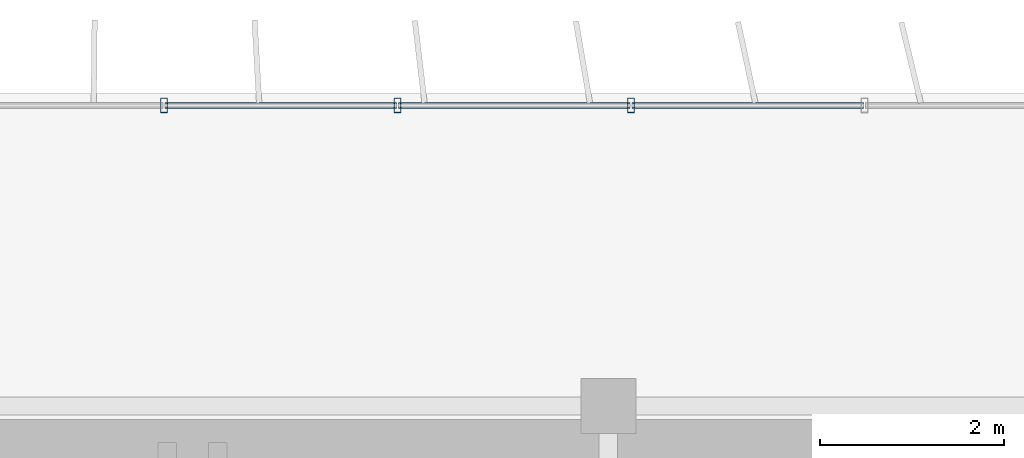
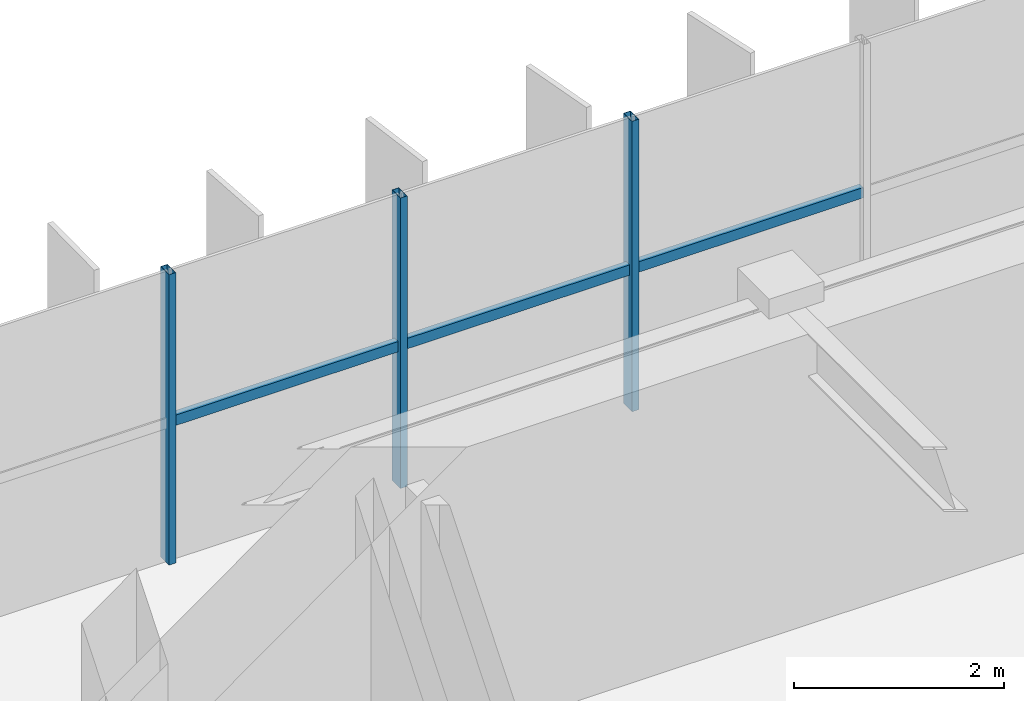
# One storey, part 8 of 22: 6 members, 1 element without a shape of its own.
"""IFC4 building model written with IfcOpenShell, lengths in metres."""

from ifc_helpers import new_model, si_unit, direction, frame, origin, origin_2d, place, context, subcontext, project, spatial, hollow_rectangle, extrude, source, transform, mapped, material, material_profile, profile_set, type_object, element, aggregate, save


model = new_model("IFC4")

# Units and contexts
model_context = context("Model", 3, precision=1e-05, world=origin(), true_north=direction((0.0, 1.0)))
body_context = subcontext(model_context, "Body", "Model", "MODEL_VIEW")
ifc_project = project(units=[si_unit("LENGTHUNIT", "METRE"), si_unit("AREAUNIT", "SQUARE_METRE"), si_unit("VOLUMEUNIT", "CUBIC_METRE"), si_unit("PLANEANGLEUNIT", "RADIAN"), si_unit("MASSUNIT", "GRAM", prefix="KILO")], contexts=[model_context])

# Site, building, storey
site_placement = place(None, origin())
site = spatial("IfcSite", under=ifc_project, at=site_placement, CompositionType="ELEMENT")
building_placement = place(site_placement, origin())
building = spatial("IfcBuilding", under=site, at=building_placement, Name="Trelvane Seafront Commons", CompositionType="ELEMENT")
storey_placement = place(building_placement, frame((0.0, 0.0, 270.300048828125)))
storey = spatial("IfcBuildingStorey", under=building, at=storey_placement, Name="L70", CompositionType="ELEMENT", Elevation=270.300048828125)

# Curtain wall, members
ifc_material = material(Name="Anodised pale-silver aluminium", Category="aluminium")
curtain_wall_type = type_object("IfcCurtainWallType", Name="ARCH-CW5-UPTOWER", PredefinedType="NOTDEFINED", material=ifc_material)
curtain_wall_placement = place(storey_placement, origin())
curtain_wall = element("IfcCurtainWall", 1, at=curtain_wall_placement, inside=storey, type_object=curtain_wall_type, Name="CW-L70-0114", PredefinedType="NOTDEFINED")
ifc_material_profile_1 = material_profile(ifc_material, hollow_rectangle(XDim=0.070068359375, YDim=0.1201171875, WallThickness=0.00390625, at=origin_2d()), Name="TRAN-70x120x4")
ifc_profile_set_1 = profile_set([ifc_material_profile_1], Name="Anodised pale-silver aluminium")
member_type_1 = type_object("IfcMemberType", Name="ARCH-CW-TRAN-120", PredefinedType="USERDEFINED", material=ifc_profile_set_1)
shared_shape_1 = source(origin(), body_context, "Body", "SweptSolid", [
    extrude(hollow_rectangle(XDim=0.070068359375, YDim=0.1201171875, WallThickness=0.00390625, at=origin_2d()), origin(), (0.0, 0.0, 1.0), 2.51708984375),
])
member_1_placement = place(storey_placement, frame((30.859130859375, 48.3701171875, 1.617919921875), z_axis=(1.0, 0.0, 0.0), x_axis=(0.0, 1.0, 0.0)))
member_1 = element("IfcMember", 2, at=member_1_placement, type_object=member_type_1, Name="CW-L70-0114-T06", ObjectType="TRANSOM", PredefinedType="USERDEFINED", context=body_context, shape_type="MappedRepresentation", body=[
    mapped(shared_shape_1, transform((0.0, 0.0, 0.0), x_axis=(1.0, 0.0, 0.0), y_axis=(0.0, 1.0, 0.0), z_axis=(0.0, 0.0, 1.0), scale=1.0)),
])
shared_shape_2 = source(origin(), body_context, "Body", "SweptSolid", [
    extrude(hollow_rectangle(XDim=0.070068359375, YDim=0.1201171875, WallThickness=0.00390625, at=origin_2d()), origin(), (0.0, 0.0, 1.0), 2.517333984375),
])
member_2_placement = place(storey_placement, frame((25.776611328125, 48.3701171875, 1.617919921875), z_axis=(1.0, 0.0, 0.0), x_axis=(0.0, 1.0, 0.0)))
member_2 = element("IfcMember", 3, at=member_2_placement, type_object=member_type_1, Name="CW-L70-0114-T04", ObjectType="TRANSOM", PredefinedType="USERDEFINED", context=body_context, shape_type="MappedRepresentation", body=[
    mapped(shared_shape_2, transform((0.0, 0.0, 0.0), x_axis=(1.0, 0.0, 0.0), y_axis=(0.0, 1.0, 0.0), z_axis=(0.0, 0.0, 1.0), scale=1.0)),
])
member_3_placement = place(storey_placement, frame((28.31787109375, 48.3701171875, 1.617919921875), z_axis=(1.0, 0.0, 0.0), x_axis=(0.0, 1.0, 0.0)))
member_3 = element("IfcMember", 4, at=member_3_placement, type_object=member_type_1, Name="CW-L70-0114-T05", ObjectType="TRANSOM", PredefinedType="USERDEFINED", context=body_context, shape_type="MappedRepresentation", body=[
    mapped(shared_shape_2, transform((0.0, 0.0, 0.0), x_axis=(1.0, 0.0, 0.0), y_axis=(0.0, 1.0, 0.0), z_axis=(0.0, 0.0, 1.0), scale=1.0)),
])
ifc_material_profile_2 = material_profile(ifc_material, hollow_rectangle(XDim=0.074951171875, YDim=0.159912109375, WallThickness=0.00390625, at=origin_2d()), Name="MULL-75x160x4")
ifc_profile_set_2 = profile_set([ifc_material_profile_2], Name="Anodised pale-silver aluminium")
member_type_2 = type_object("IfcMemberType", Name="ARCH-CW-MULL-160", PredefinedType="MULLION", material=ifc_profile_set_2)
shared_shape_3 = source(origin(), body_context, "Body", "SweptSolid", [
    extrude(hollow_rectangle(XDim=0.074951171875, YDim=0.159912109375, WallThickness=0.00390625, at=origin_2d()), origin(), (0.0, 0.0, 1.0), 3.369873046875),
])
member_4_placement = place(storey_placement, frame((25.7646484375, 48.3701171875, 0.0), z_axis=(0.0, 0.0, 1.0), x_axis=(1.0, 0.0, 0.0)))
member_4 = element("IfcMember", 5, at=member_4_placement, type_object=member_type_2, Name="CW-L70-0114-M04", PredefinedType="MULLION", context=body_context, shape_type="MappedRepresentation", body=[
    mapped(shared_shape_3, transform((0.0, 0.0, 0.0), x_axis=(1.0, 0.0, 0.0), y_axis=(0.0, 1.0, 0.0), z_axis=(0.0, 0.0, 1.0), scale=1.0)),
])
member_5_placement = place(storey_placement, frame((28.305908203125, 48.3701171875, 0.0), z_axis=(0.0, 0.0, 1.0), x_axis=(1.0, 0.0, 0.0)))
member_5 = element("IfcMember", 6, at=member_5_placement, type_object=member_type_2, Name="CW-L70-0114-M05", PredefinedType="MULLION", context=body_context, shape_type="MappedRepresentation", body=[
    mapped(shared_shape_3, transform((0.0, 0.0, 0.0), x_axis=(1.0, 0.0, 0.0), y_axis=(0.0, 1.0, 0.0), z_axis=(0.0, 0.0, 1.0), scale=1.0)),
])
member_6_placement = place(storey_placement, frame((30.84716796875, 48.3701171875, 0.0), z_axis=(0.0, 0.0, 1.0), x_axis=(1.0, 0.0, 0.0)))
member_6 = element("IfcMember", 7, at=member_6_placement, type_object=member_type_2, Name="CW-L70-0114-M06", PredefinedType="MULLION", context=body_context, shape_type="MappedRepresentation", body=[
    mapped(shared_shape_3, transform((0.0, 0.0, 0.0), x_axis=(1.0, 0.0, 0.0), y_axis=(0.0, 1.0, 0.0), z_axis=(0.0, 0.0, 1.0), scale=1.0)),
])
aggregate(curtain_wall, [member_4, member_5, member_6, member_2, member_3, member_1])

save(model, "model.ifc")
